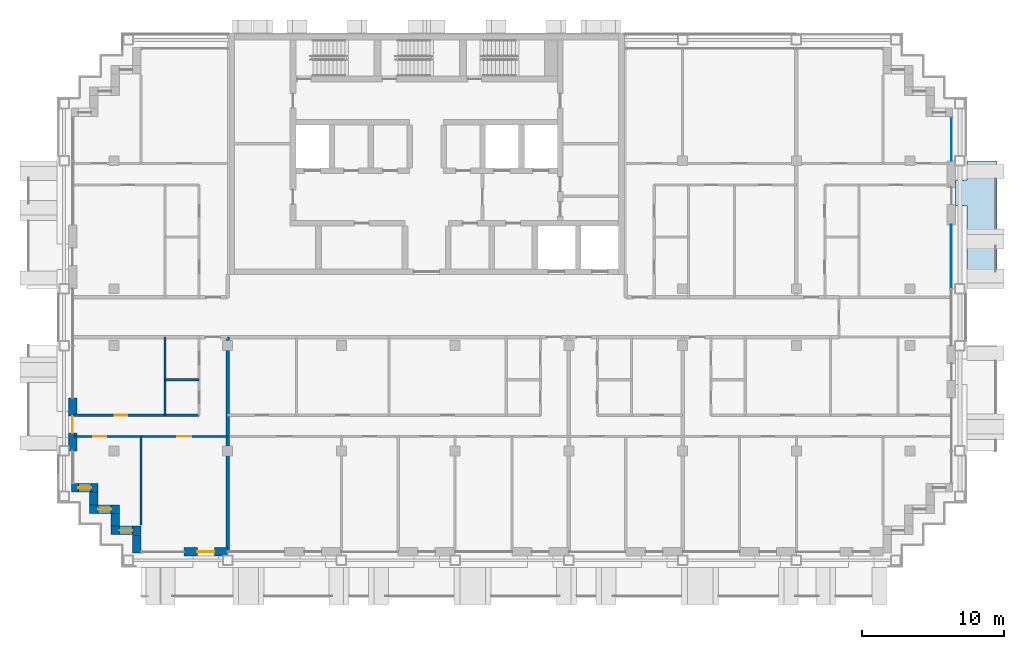
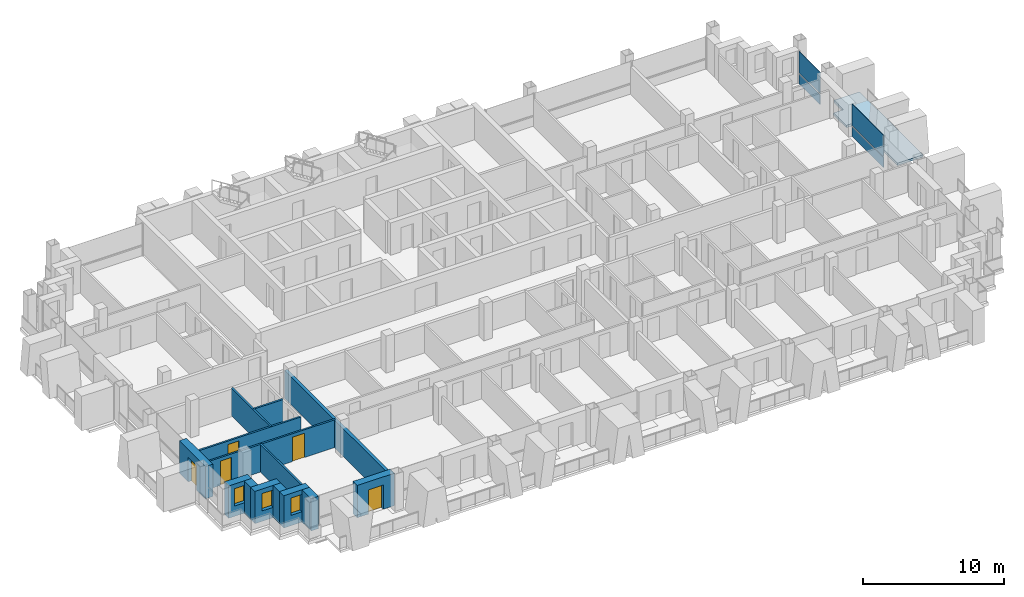
# One storey, part 7 of 16: 14 walls, 5 doors, 4 plates, 3 windows, 1 slab, 8 openings, 2 elements without a shape of their own.
"""IFC4 building model written with IfcOpenShell, lengths in metres."""

from ifc_helpers import new_model, si_unit, direction, frame, frame_2d, origin, origin_2d, place, context, subcontext, project, spatial, polyline, rectangle, outline, extrude, material, layer, layer_set, type_object, element, fill, aggregate, save


model = new_model("IFC4")

# Units and contexts
model_context = context("Model", 3, precision=1e-05, world=origin(), true_north=direction((0.0, 1.0)))
body_context = subcontext(model_context, "Body", "Model", "MODEL_VIEW")
ifc_project = project(units=[si_unit("LENGTHUNIT", "METRE"), si_unit("AREAUNIT", "SQUARE_METRE"), si_unit("VOLUMEUNIT", "CUBIC_METRE"), si_unit("PLANEANGLEUNIT", "RADIAN"), si_unit("MASSUNIT", "GRAM", prefix="KILO")], contexts=[model_context])

# Site, building, storey
site_placement = place(None, origin())
site = spatial("IfcSite", under=ifc_project, at=site_placement, CompositionType="ELEMENT")
building_placement = place(site_placement, origin())
building = spatial("IfcBuilding", under=site, at=building_placement, Name="Vidyagriha Tower", CompositionType="ELEMENT")
storey_placement = place(building_placement, frame((0.0, 0.0, 190.89990234375)))
storey = spatial("IfcBuildingStorey", under=building, at=storey_placement, Name="L50", CompositionType="ELEMENT", Elevation=190.89990234375)

# Curtain wall, plate
ifc_material_1 = material(Name="Aluminium and glass curtain wall", Category="aluminium")
curtain_wall_type = type_object("IfcCurtainWallType", Name="Dwelling skin unitised curtain wall", PredefinedType="USERDEFINED", material=ifc_material_1)
curtain_wall_1_placement = place(storey_placement, origin())
curtain_wall_1 = element("IfcCurtainWall", 1, at=curtain_wall_1_placement, inside=storey, type_object=curtain_wall_type, Name="CW1 dwelling skin", ObjectType="UNITISED", PredefinedType="USERDEFINED")
ifc_material_2 = material(Name="Glass dark ceramic-fritted spandrel", Category="glass")
ifc_layer_1 = layer(ifc_material_2, 0.0400390625)
ifc_layer_set_1 = layer_set([ifc_layer_1], Name="Glass dark ceramic-fritted spandrel")
plate_type_1 = type_object("IfcPlateType", Name="Ceramic-fritted spandrel panel", PredefinedType="CURTAIN_PANEL", material=ifc_layer_set_1)
plate_1_placement = place(storey_placement, frame((36.89990234375, 12.514892578125, 0.0), z_axis=(0.0, 0.0, 1.0), x_axis=(0.0, 1.0, 0.0)))
plate_1 = element("IfcPlate", 2, at=plate_1_placement, type_object=plate_type_1, Name="CW1 panel 1.1", PredefinedType="CURTAIN_PANEL", context=body_context, shape_type="SweptSolid", body=[
    extrude(rectangle(XDim=3.030029296875, YDim=0.0400390625, at=origin_2d()), origin(), (0.0, 0.0, 1.0), 0.85009765625),
])

curtain_wall_2_placement = place(storey_placement, origin())
curtain_wall_2 = element("IfcCurtainWall", 3, at=curtain_wall_2_placement, inside=storey, type_object=curtain_wall_type, Name="CW1 dwelling skin", ObjectType="UNITISED", PredefinedType="USERDEFINED")
ifc_material_3 = material(Name="Glass dark ceramic-fritted", Category="glass")
ifc_layer_2 = layer(ifc_material_3, 0.028076171875)
ifc_layer_set_2 = layer_set([ifc_layer_2], Name="Glass dark ceramic-fritted")
plate_type_2 = type_object("IfcPlateType", Name="Dark ceramic-fritted vision glass panel", PredefinedType="CURTAIN_PANEL", material=ifc_layer_set_2)
plate_2_placement = place(storey_placement, frame((36.89990234375, 4.267578125, 0.949951171875), z_axis=(0.0, 0.0, 1.0), x_axis=(0.0, 1.0, 0.0)))
plate_2 = element("IfcPlate", 4, at=plate_2_placement, type_object=plate_type_2, Name="CW1 panel 2.2", PredefinedType="CURTAIN_PANEL", context=body_context, shape_type="SweptSolid", body=[
    extrude(rectangle(XDim=4.465087890625, YDim=0.028076171875, at=origin_2d()), origin(), (0.0, 0.0, 1.0), 1.85009765625),
])

# Plate
plate_3_placement = place(storey_placement, frame((36.89990234375, 12.514892578125, 0.949951171875), z_axis=(0.0, 0.0, 1.0), x_axis=(0.0, 1.0, 0.0)))
plate_3 = element("IfcPlate", 5, at=plate_3_placement, type_object=plate_type_2, Name="CW1 panel 1.2", PredefinedType="CURTAIN_PANEL", context=body_context, shape_type="SweptSolid", body=[
    extrude(rectangle(XDim=3.030029296875, YDim=0.028076171875, at=origin_2d()), origin(), (0.0, 0.0, 1.0), 1.85009765625),
])

aggregate(curtain_wall_1, [plate_1, plate_3])

ifc_material_4 = material(Name="Aluminium black anodised", Category="aluminium")
ifc_layer_3 = layer(ifc_material_4, 0.06005859375)
ifc_layer_set_3 = layer_set([ifc_layer_3], Name="Aluminium black anodised")
plate_type_3 = type_object("IfcPlateType", Name="Operable black-metal vent panel", PredefinedType="CURTAIN_PANEL", material=ifc_layer_set_3)
plate_4_placement = place(storey_placement, frame((36.89990234375, 4.267578125, 0.0), z_axis=(0.0, 0.0, 1.0), x_axis=(0.0, 1.0, 0.0)))
plate_4 = element("IfcPlate", 6, at=plate_4_placement, type_object=plate_type_3, Name="CW1 panel 2.1", PredefinedType="CURTAIN_PANEL", context=body_context, shape_type="SweptSolid", body=[
    extrude(rectangle(XDim=4.465087890625, YDim=0.06005859375, at=origin_2d()), origin(), (0.0, 0.0, 1.0), 0.85009765625),
])

aggregate(curtain_wall_2, [plate_4, plate_2])

# Slab
ifc_material_5 = material(Name="Precast concrete C40/50", Category="concrete")
ifc_layer_4 = layer(ifc_material_5, 0.199951171875)
ifc_layer_set_4 = layer_set([ifc_layer_4], Name="Precast concrete C40/50")
slab_type = type_object("IfcSlabType", Name="Precast balcony slab 200", PredefinedType="USERDEFINED", material=ifc_layer_set_4)
slab_placement = place(storey_placement, frame((0.0, 0.0, -0.199951171875)))
element("IfcSlab", 7, at=slab_placement, inside=storey, type_object=slab_type, Name="Balcony slab L50 R30.2-2", ObjectType="BALCONY", PredefinedType="USERDEFINED", context=body_context, shape_type="SweptSolid", body=[
    extrude(outline(polyline([(38.0, 7.85009765625), (38.0, 2.0), (40.10009765625, 2.0), (40.10009765625, 11.0), (38.0, 11.0), (38.0, 9.64990234375), (37.199951171875, 9.64990234375), (37.199951171875, 7.85009765625), (38.0, 7.85009765625)])), origin(), (0.0, 0.0, 1.0), 0.199951171875),
])

# Wall, opening, door
ifc_material_6 = material(Name="Precast concrete C40/50 with brick facing", Category="concrete")
ifc_layer_5 = layer(ifc_material_6, 0.60009765625)
ifc_layer_set_5 = layer_set([ifc_layer_5], Name="Precast concrete C40/50 with brick facing")
wall_type_1 = type_object("IfcWallType", Name="Brick-faced precast wall 600", PredefinedType="STANDARD", material=ifc_layer_set_5)
wall_1_placement = place(storey_placement, frame((-24.89990234375, -5.699951171875, 0.0), z_axis=(0.0, 0.0, 1.0), x_axis=(0.0, -1.0, 0.0)))
wall_1 = element("IfcWall", 8, at=wall_1_placement, inside=storey, type_object=wall_type_1, Name="Brick door bay wall L50 R16.6", PredefinedType="STANDARD", context=body_context, shape_type="SweptSolid", body=[
    extrude(rectangle(XDim=3.699951171875, YDim=0.60009765625, at=frame_2d((1.85009765625, 0.0))), origin(), (0.0, 0.0, 1.0), 2.800048828125),
])
opening_1_placement = place(wall_1_placement, frame((1.25, 0.0, 0.0)))
opening_1 = element("IfcOpeningElement", 9, at=opening_1_placement, cuts=wall_1, Name="Opening D50-71", PredefinedType="OPENING", context=body_context, shape_type="SweptSolid", body=[
    extrude(rectangle(XDim=1.199951171875, YDim=2.10009765625, at=frame_2d((0.60009765625, 1.050048828125))), frame((0.0, 0.31005859375, 0.0), z_axis=(0.0, -1.0, 0.0), x_axis=(1.0, 0.0, 0.0)), (0.0, 0.0, 1.0), 0.6201171875),
])
ifc_material_7 = material(Name="Aluminium framed glazed sliding door", Category="aluminium")
door_type_1 = type_object("IfcDoorType", Name="Balcony sliding door 1200x2100", OperationType="NOTDEFINED", PredefinedType="DOOR", material=ifc_material_7)
door_1_placement = place(opening_1_placement, origin())
door_1 = element("IfcDoor", 10, at=door_1_placement, inside=storey, type_object=door_type_1, Name="Door D50-71", OperationType="SLIDING_TO_LEFT", OverallHeight=2.10009765625, OverallWidth=1.199951171875, PredefinedType="DOOR", context=body_context, shape_type="SweptSolid", body=[
    extrude(rectangle(XDim=1.199951171875, YDim=2.10009765625, at=frame_2d((0.60009765625, 1.050048828125))), frame((0.0, 0.02490234375, 0.0), z_axis=(0.0, -1.0, 0.0), x_axis=(1.0, 0.0, 0.0)), (0.0, 0.0, 1.0), 0.050048828125),
])
fill(opening_1, door_1)

# Wall, opening, window
wall_2_placement = place(storey_placement, frame((-24.97998046875, -12.0, 0.0)))
wall_2 = element("IfcWall", 11, at=wall_2_placement, inside=storey, type_object=wall_type_1, Name="Stepped corner wall L50 R17", PredefinedType="STANDARD", context=body_context, shape_type="SweptSolid", body=[
    extrude(rectangle(XDim=1.8798828125, YDim=0.60009765625, at=frame_2d((0.93994140625, 0.0))), origin(), (0.0, 0.0, 1.0), 2.800048828125),
])
opening_2_placement = place(wall_2_placement, frame((0.489990234375, 0.0, 0.89990234375)))
opening_2 = element("IfcOpeningElement", 12, at=opening_2_placement, cuts=wall_2, Name="Opening WN1", PredefinedType="OPENING", context=body_context, shape_type="SweptSolid", body=[
    extrude(rectangle(XDim=0.89990234375, YDim=1.5, at=frame_2d((0.449951171875, 0.75))), frame((0.0, 0.31005859375, 0.0), z_axis=(0.0, -1.0, 0.0), x_axis=(1.0, 0.0, 0.0)), (0.0, 0.0, 1.0), 0.6201171875),
])
ifc_material_8 = material(Name="Aluminium and glass window", Category="aluminium")
window_type = type_object("IfcWindowType", Name="Reveal window 900x1500", PartitioningType="NOTDEFINED", PredefinedType="WINDOW", material=ifc_material_8)
window_1_placement = place(opening_2_placement, origin())
window_1 = element("IfcWindow", 13, at=window_1_placement, inside=storey, type_object=window_type, Name="Reveal window L50 R17", OverallHeight=1.5, OverallWidth=0.89990234375, PartitioningType="SINGLE_PANEL", PredefinedType="WINDOW", context=body_context, shape_type="SweptSolid", body=[
    extrude(rectangle(XDim=0.89990234375, YDim=1.5, at=frame_2d((0.449951171875, 0.75))), frame((0.0, 0.030029296875, 0.0), z_axis=(0.0, -1.0, 0.0), x_axis=(1.0, 0.0, 0.0)), (0.0, 0.0, 1.0), 0.06005859375),
])
fill(opening_2, window_1)

# Wall
wall_3_placement = place(storey_placement, frame((-23.39990234375, -12.300048828125, 0.0), z_axis=(0.0, 0.0, 1.0), x_axis=(0.0, -1.0, 0.0)))
element("IfcWall", 14, at=wall_3_placement, inside=storey, type_object=wall_type_1, Name="Stepped corner wall L50 R18", PredefinedType="STANDARD", context=body_context, shape_type="SweptSolid", body=[
    extrude(rectangle(XDim=0.89990234375, YDim=0.60009765625, at=frame_2d((0.449951171875, 0.0))), origin(), (0.0, 0.0, 1.0), 2.800048828125),
])

# Wall, opening, window
wall_4_placement = place(storey_placement, frame((-23.699951171875, -13.5, 0.0)))
wall_4 = element("IfcWall", 15, at=wall_4_placement, inside=storey, type_object=wall_type_1, Name="Stepped corner wall L50 R19", PredefinedType="STANDARD", context=body_context, shape_type="SweptSolid", body=[
    extrude(rectangle(XDim=2.099853515625, YDim=0.60009765625, at=frame_2d((1.0498046875, 0.0))), origin(), (0.0, 0.0, 1.0), 2.800048828125),
])
opening_3_placement = place(wall_4_placement, frame((0.60009765625, 0.0, 0.89990234375)))
opening_3 = element("IfcOpeningElement", 16, at=opening_3_placement, cuts=wall_4, Name="Opening WN1", PredefinedType="OPENING", context=body_context, shape_type="SweptSolid", body=[
    extrude(rectangle(XDim=0.89990234375, YDim=1.5, at=frame_2d((0.449951171875, 0.75))), frame((0.0, 0.31005859375, 0.0), z_axis=(0.0, -1.0, 0.0), x_axis=(1.0, 0.0, 0.0)), (0.0, 0.0, 1.0), 0.6201171875),
])
window_2_placement = place(opening_3_placement, origin())
window_2 = element("IfcWindow", 17, at=window_2_placement, inside=storey, type_object=window_type, Name="Reveal window L50 R19", OverallHeight=1.5, OverallWidth=0.89990234375, PartitioningType="SINGLE_PANEL", PredefinedType="WINDOW", context=body_context, shape_type="SweptSolid", body=[
    extrude(rectangle(XDim=0.89990234375, YDim=1.5, at=frame_2d((0.449951171875, 0.75))), frame((0.0, 0.030029296875, 0.0), z_axis=(0.0, -1.0, 0.0), x_axis=(1.0, 0.0, 0.0)), (0.0, 0.0, 1.0), 0.06005859375),
])
fill(opening_3, window_2)

# Wall
wall_5_placement = place(storey_placement, frame((-21.89990234375, -13.800048828125, 0.0), z_axis=(0.0, 0.0, 1.0), x_axis=(0.0, -1.0, 0.0)))
element("IfcWall", 18, at=wall_5_placement, inside=storey, type_object=wall_type_1, Name="Stepped corner wall L50 R20", PredefinedType="STANDARD", context=body_context, shape_type="SweptSolid", body=[
    extrude(rectangle(XDim=0.89990234375, YDim=0.60009765625, at=frame_2d((0.449951171875, 0.0))), origin(), (0.0, 0.0, 1.0), 2.800048828125),
])

# Wall, opening, window
wall_6_placement = place(storey_placement, frame((-22.199951171875, -15.0, 0.0)))
wall_6 = element("IfcWall", 19, at=wall_6_placement, inside=storey, type_object=wall_type_1, Name="Stepped corner wall L50 R21", PredefinedType="STANDARD", context=body_context, shape_type="SweptSolid", body=[
    extrude(rectangle(XDim=2.099853515625, YDim=0.60009765625, at=frame_2d((1.0498046875, 0.0))), origin(), (0.0, 0.0, 1.0), 2.800048828125),
])
opening_4_placement = place(wall_6_placement, frame((0.60009765625, 0.0, 0.89990234375)))
opening_4 = element("IfcOpeningElement", 20, at=opening_4_placement, cuts=wall_6, Name="Opening WN1", PredefinedType="OPENING", context=body_context, shape_type="SweptSolid", body=[
    extrude(rectangle(XDim=0.89990234375, YDim=1.5, at=frame_2d((0.449951171875, 0.75))), frame((0.0, 0.31005859375, 0.0), z_axis=(0.0, -1.0, 0.0), x_axis=(1.0, 0.0, 0.0)), (0.0, 0.0, 1.0), 0.6201171875),
])
window_3_placement = place(opening_4_placement, origin())
window_3 = element("IfcWindow", 21, at=window_3_placement, inside=storey, type_object=window_type, Name="Reveal window L50 R21", OverallHeight=1.5, OverallWidth=0.89990234375, PartitioningType="SINGLE_PANEL", PredefinedType="WINDOW", context=body_context, shape_type="SweptSolid", body=[
    extrude(rectangle(XDim=0.89990234375, YDim=1.5, at=frame_2d((0.449951171875, 0.75))), frame((0.0, 0.030029296875, 0.0), z_axis=(0.0, -1.0, 0.0), x_axis=(1.0, 0.0, 0.0)), (0.0, 0.0, 1.0), 0.06005859375),
])
fill(opening_4, window_3)

# Wall
wall_7_placement = place(storey_placement, frame((-20.39990234375, -15.300048828125, 0.0), z_axis=(0.0, 0.0, 1.0), x_axis=(0.0, -1.0, 0.0)))
element("IfcWall", 22, at=wall_7_placement, inside=storey, type_object=wall_type_1, Name="Stepped corner wall L50 R22", PredefinedType="STANDARD", context=body_context, shape_type="SweptSolid", body=[
    extrude(rectangle(XDim=1.280029296875, YDim=0.60009765625, at=frame_2d((0.64013671875, 0.0))), origin(), (0.0, 0.0, 1.0), 2.800048828125),
])

# Wall, opening, door
wall_8_placement = place(storey_placement, frame((-17.050048828125, -16.5, 0.0)))
wall_8 = element("IfcWall", 23, at=wall_8_placement, inside=storey, type_object=wall_type_1, Name="Brick door bay wall L50 R23.2", PredefinedType="STANDARD", context=body_context, shape_type="SweptSolid", body=[
    extrude(rectangle(XDim=3.050048828125, YDim=0.60009765625, at=frame_2d((1.52490234375, 0.0))), origin(), (0.0, 0.0, 1.0), 2.800048828125),
])
opening_5_placement = place(wall_8_placement, frame((0.925048828125, 0.0, 0.0)))
opening_5 = element("IfcOpeningElement", 24, at=opening_5_placement, cuts=wall_8, Name="Opening D50-72", PredefinedType="OPENING", context=body_context, shape_type="SweptSolid", body=[
    extrude(rectangle(XDim=1.199951171875, YDim=2.10009765625, at=frame_2d((0.60009765625, 1.050048828125))), frame((0.0, 0.31005859375, 0.0), z_axis=(0.0, -1.0, 0.0), x_axis=(1.0, 0.0, 0.0)), (0.0, 0.0, 1.0), 0.6201171875),
])
door_2_placement = place(opening_5_placement, origin())
door_2 = element("IfcDoor", 25, at=door_2_placement, inside=storey, type_object=door_type_1, Name="Door D50-72", OperationType="SLIDING_TO_LEFT", OverallHeight=2.10009765625, OverallWidth=1.199951171875, PredefinedType="DOOR", context=body_context, shape_type="SweptSolid", body=[
    extrude(rectangle(XDim=1.199951171875, YDim=2.10009765625, at=frame_2d((0.60009765625, 1.050048828125))), frame((0.0, 0.02490234375, 0.0), z_axis=(0.0, -1.0, 0.0), x_axis=(1.0, 0.0, 0.0)), (0.0, 0.0, 1.0), 0.050048828125),
])
fill(opening_5, door_2)

# Walls
ifc_material_9 = material(Name="Fired clay brick masonry", Category="masonry")
ifc_layer_6 = layer(ifc_material_9, 0.25)
ifc_layer_set_6 = layer_set([ifc_layer_6], Name="Fired clay brick masonry")
wall_type_2 = type_object("IfcWallType", Name="Fired clay brick demising wall 250", PredefinedType="PARTITIONING", material=ifc_layer_set_6)
wall_9_placement = place(storey_placement, frame((-14.0, -1.39990234375, 0.0), z_axis=(0.0, 0.0, 1.0), x_axis=(0.0, -1.0, 0.0)))
element("IfcWall", 26, at=wall_9_placement, inside=storey, type_object=wall_type_2, Name="Wall all-L50-w035", PredefinedType="PARTITIONING", context=body_context, shape_type="SweptSolid", body=[
    extrude(rectangle(XDim=15.010009765625, YDim=0.25, at=frame_2d((7.5048828125, 0.0))), origin(), (0.0, 0.0, 1.0), 2.400146484375),
])
ifc_material_10 = material(Name="Gypsum board partition")
ifc_layer_7 = layer(ifc_material_10, 0.14990234375)
ifc_layer_set_7 = layer_set([ifc_layer_7], Name="Gypsum board partition")
wall_type_3 = type_object("IfcWallType", Name="Gypsum board partition 150", PredefinedType="PARTITIONING", material=ifc_layer_set_7)
wall_10_placement = place(storey_placement, frame((-16.0, -4.39990234375, 0.0), z_axis=(0.0, 0.0, 1.0), x_axis=(-1.0, 0.0, 0.0)))
element("IfcWall", 27, at=wall_10_placement, inside=storey, type_object=wall_type_3, Name="Wall all-L50-w004", PredefinedType="PARTITIONING", context=body_context, shape_type="SweptSolid", body=[
    extrude(rectangle(XDim=2.39990234375, YDim=0.14990234375, at=frame_2d((1.199951171875, 0.0))), origin(), (0.0, 0.0, 1.0), 2.400146484375),
])
wall_11_placement = place(storey_placement, frame((-18.39990234375, -6.89990234375, 0.0), z_axis=(0.0, 0.0, 1.0), x_axis=(0.0, 1.0, 0.0)))
element("IfcWall", 28, at=wall_11_placement, inside=storey, type_object=wall_type_3, Name="Wall all-L50-w005", PredefinedType="PARTITIONING", context=body_context, shape_type="SweptSolid", body=[
    extrude(rectangle(XDim=5.5, YDim=0.14990234375, at=frame_2d((2.75, 0.0))), origin(), (0.0, 0.0, 1.0), 2.400146484375),
])

# Wall, opening, door
wall_12_placement = place(storey_placement, frame((-24.81005859375, -6.89990234375, 0.0)))
wall_12 = element("IfcWall", 29, at=wall_12_placement, inside=storey, type_object=wall_type_3, Name="Wall all-L50-w006", PredefinedType="PARTITIONING", context=body_context, shape_type="SweptSolid", body=[
    extrude(rectangle(XDim=8.81005859375, YDim=0.14990234375, at=frame_2d((4.405029296875, 0.0))), origin(), (0.0, 0.0, 1.0), 2.400146484375),
])
opening_6_placement = place(wall_12_placement, frame((2.860107421875, 0.0, 0.0)))
opening_6 = element("IfcOpeningElement", 30, at=opening_6_placement, cuts=wall_12, Name="Opening D50-19", PredefinedType="OPENING", context=body_context, shape_type="SweptSolid", body=[
    extrude(rectangle(XDim=0.89990234375, YDim=2.10009765625, at=frame_2d((0.449951171875, 1.050048828125))), frame((0.0, 0.0849609375, 0.0), z_axis=(0.0, -1.0, 0.0), x_axis=(1.0, 0.0, 0.0)), (0.0, 0.0, 1.0), 0.169921875),
])
ifc_material_11 = material(Name="Timber door leaf", Category="wood")
door_type_2 = type_object("IfcDoorType", Name="Room door 900x2100", OperationType="NOTDEFINED", PredefinedType="DOOR", material=ifc_material_11)
door_3_placement = place(opening_6_placement, origin())
door_3 = element("IfcDoor", 31, at=door_3_placement, inside=storey, type_object=door_type_2, Name="Door D50-19", OperationType="SINGLE_SWING_RIGHT", OverallHeight=2.10009765625, OverallWidth=0.89990234375, PredefinedType="DOOR", context=body_context, shape_type="SweptSolid", body=[
    extrude(rectangle(XDim=0.89990234375, YDim=2.10009765625, at=frame_2d((0.449951171875, 1.050048828125))), frame((0.0, 0.02490234375, 0.0), z_axis=(0.0, -1.0, 0.0), x_axis=(1.0, 0.0, 0.0)), (0.0, 0.0, 1.0), 0.050048828125),
])
fill(opening_6, door_3)

# Wall, openings, doors
wall_13_placement = place(storey_placement, frame((-14.0, -8.39990234375, 0.0), z_axis=(0.0, 0.0, 1.0), x_axis=(-1.0, 0.0, 0.0)))
wall_13 = element("IfcWall", 32, at=wall_13_placement, inside=storey, type_object=wall_type_3, Name="Wall all-L50-w008", PredefinedType="PARTITIONING", context=body_context, shape_type="SweptSolid", body=[
    extrude(rectangle(XDim=10.81005859375, YDim=0.14990234375, at=frame_2d((5.405029296875, 0.0))), origin(), (0.0, 0.0, 1.0), 2.400146484375),
])
opening_7_placement = place(wall_13_placement, frame((8.547119140625, 0.0, 0.0)))
opening_7 = element("IfcOpeningElement", 33, at=opening_7_placement, cuts=wall_13, Name="Opening D50-20", PredefinedType="OPENING", context=body_context, shape_type="SweptSolid", body=[
    extrude(rectangle(XDim=0.89990234375, YDim=2.10009765625, at=frame_2d((0.449951171875, 1.050048828125))), frame((0.0, 0.0849609375, 0.0), z_axis=(0.0, -1.0, 0.0), x_axis=(1.0, 0.0, 0.0)), (0.0, 0.0, 1.0), 0.169921875),
])
opening_8_placement = place(wall_13_placement, frame((2.550048828125, 0.0, 0.0)))
opening_8 = element("IfcOpeningElement", 34, at=opening_8_placement, cuts=wall_13, Name="Opening D50-21", PredefinedType="OPENING", context=body_context, shape_type="SweptSolid", body=[
    extrude(rectangle(XDim=1.0, YDim=2.10009765625, at=frame_2d((0.5, 1.050048828125))), frame((0.0, 0.0849609375, 0.0), z_axis=(0.0, -1.0, 0.0), x_axis=(1.0, 0.0, 0.0)), (0.0, 0.0, 1.0), 0.169921875),
])
ifc_material_12 = material(Name="Timber door leaf", Category="wood")
door_type_3 = type_object("IfcDoorType", Name="Room door 1000x2100", OperationType="NOTDEFINED", PredefinedType="DOOR", material=ifc_material_12)
door_4_placement = place(opening_8_placement, origin())
door_4 = element("IfcDoor", 35, at=door_4_placement, inside=storey, type_object=door_type_3, Name="Door D50-21", OperationType="SINGLE_SWING_RIGHT", OverallHeight=2.10009765625, OverallWidth=1.0, PredefinedType="DOOR", context=body_context, shape_type="SweptSolid", body=[
    extrude(rectangle(XDim=1.0, YDim=2.10009765625, at=frame_2d((0.5, 1.050048828125))), frame((0.0, 0.02490234375, 0.0), z_axis=(0.0, -1.0, 0.0), x_axis=(1.0, 0.0, 0.0)), (0.0, 0.0, 1.0), 0.050048828125),
])
fill(opening_8, door_4)
door_5_placement = place(opening_7_placement, origin())
door_5 = element("IfcDoor", 36, at=door_5_placement, inside=storey, type_object=door_type_2, Name="Door D50-20", OperationType="SINGLE_SWING_RIGHT", OverallHeight=2.10009765625, OverallWidth=0.89990234375, PredefinedType="DOOR", context=body_context, shape_type="SweptSolid", body=[
    extrude(rectangle(XDim=0.89990234375, YDim=2.10009765625, at=frame_2d((0.449951171875, 1.050048828125))), frame((0.0, 0.02490234375, 0.0), z_axis=(0.0, -1.0, 0.0), x_axis=(1.0, 0.0, 0.0)), (0.0, 0.0, 1.0), 0.050048828125),
])
fill(opening_7, door_5)

# Wall
wall_14_placement = place(storey_placement, frame((-20.10009765625, -8.39990234375, 0.0), z_axis=(0.0, 0.0, 1.0), x_axis=(0.0, -1.0, 0.0)))
element("IfcWall", 37, at=wall_14_placement, inside=storey, type_object=wall_type_3, Name="Wall all-L50-w011", PredefinedType="PARTITIONING", context=body_context, shape_type="SweptSolid", body=[
    extrude(rectangle(XDim=6.22021484375, YDim=0.14990234375, at=frame_2d((3.110107421875, 0.0))), origin(), (0.0, 0.0, 1.0), 2.400146484375),
])

save(model, "model.ifc")
